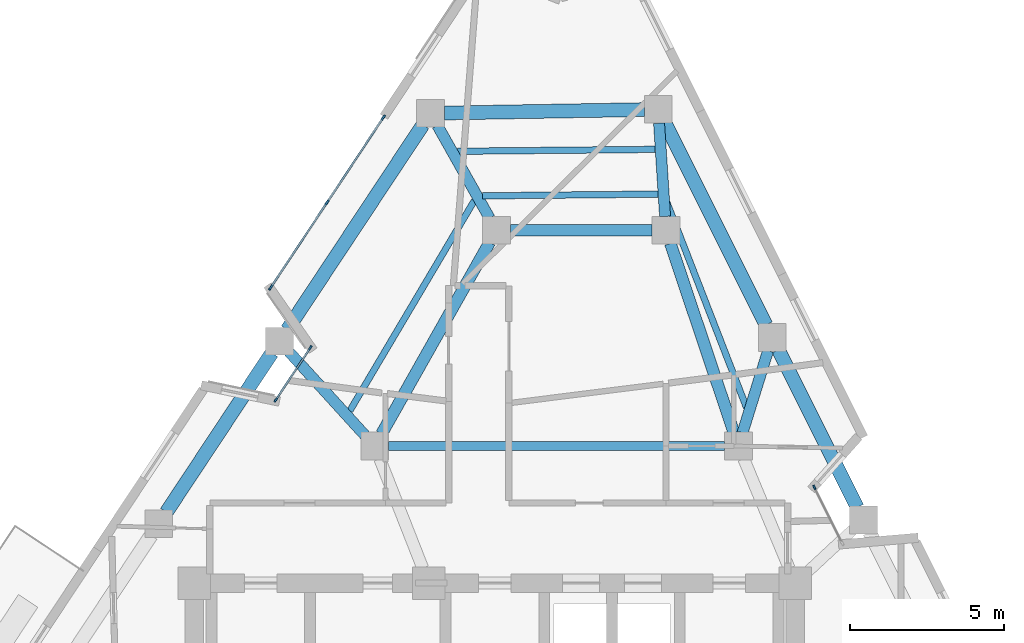
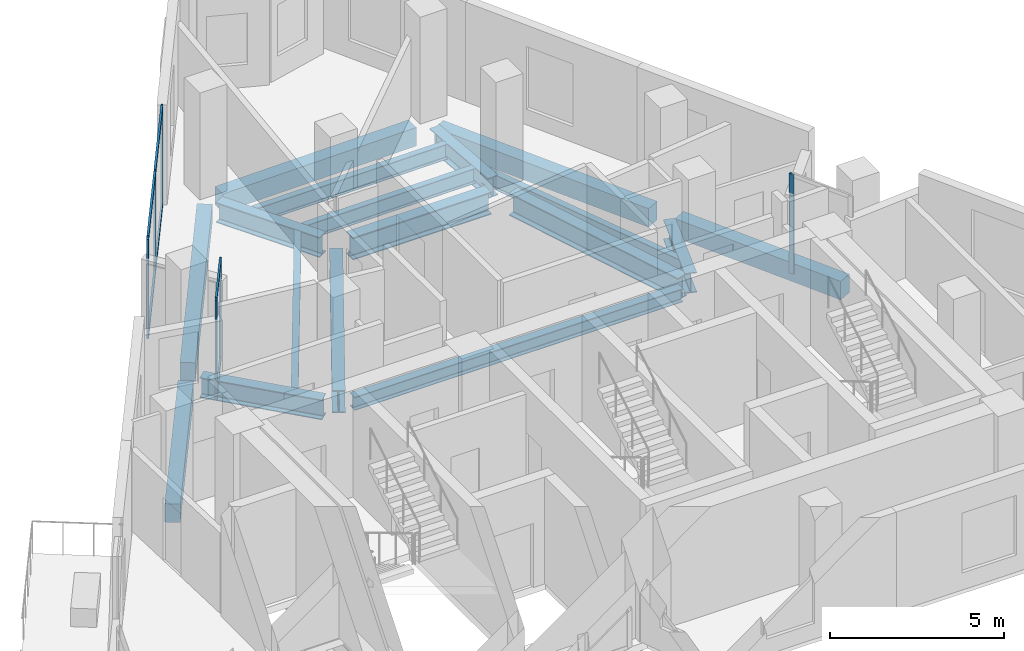
# One storey, part 3 of 10: 17 beams, 12 members, 3 elements without a shape of their own.
"""IFC4 building model written with IfcOpenShell, lengths in metres."""

from ifc_helpers import new_model, si_unit, direction, frame, origin, origin_2d, place, context, subcontext, project, spatial, rectangle, i_section, extrude, material, layer, layer_set, material_profile, profile_set, type_object, element, aggregate, save


model = new_model("IFC4")

# Units and contexts
model_context = context("Model", 3, precision=1e-05, world=origin(), true_north=direction((0.0, 1.0)))
body_context = subcontext(model_context, "Body", "Model", "MODEL_VIEW")
ifc_project = project(units=[si_unit("LENGTHUNIT", "METRE"), si_unit("AREAUNIT", "SQUARE_METRE"), si_unit("VOLUMEUNIT", "CUBIC_METRE"), si_unit("PLANEANGLEUNIT", "RADIAN"), si_unit("MASSUNIT", "GRAM", prefix="KILO")], contexts=[model_context])

# Site, building, storey
site_placement = place(None, origin())
site = spatial("IfcSite", under=ifc_project, at=site_placement, CompositionType="ELEMENT")
building_placement = place(site_placement, origin())
building = spatial("IfcBuilding", under=site, at=building_placement, Name="Almagre Mirador Tower", CompositionType="ELEMENT")
storey_placement = place(building_placement, frame((0.0, 0.0, 255.75)))
storey = spatial("IfcBuildingStorey", under=building, at=storey_placement, Name="L66", CompositionType="ELEMENT", Elevation=255.75)

# Beams
ifc_material_1 = material(Name="Steel ASTM A992 Grade 50", Category="steel")
ifc_material_profile_1 = material_profile(ifc_material_1, i_section(OverallWidth=0.281982421875, OverallDepth=0.467041015625, WebThickness=0.01220703125, FlangeThickness=0.01953125, FilletRadius=0.01611328125, at=origin_2d()), Name="W18X86")
ifc_profile_set_1 = profile_set([ifc_material_profile_1], Name="Steel ASTM A992 Grade 50")
beam_type_1 = type_object("IfcBeamType", Name="BM-BAL-W18X86", PredefinedType="JOIST", material=ifc_profile_set_1)
beam_1_placement = place(storey_placement, frame((33.85009765625, 19.199951171875, -0.4833984375), z_axis=(1.0, 0.0, 0.0), x_axis=(0.0, 1.0, 0.0)))
element("IfcBeam", 1, at=beam_1_placement, inside=storey, type_object=beam_type_1, Name="L66 secondary header beam BB-01", PredefinedType="JOIST", context=body_context, shape_type="SweptSolid", body=[
    extrude(i_section(OverallWidth=0.281982421875, OverallDepth=0.467041015625, WebThickness=0.01220703125, FlangeThickness=0.01953125, FilletRadius=0.01611328125, at=origin_2d()), origin(), (0.0, 0.0, 1.0), 10.89990234375),
])
ifc_material_2 = material(Name="Steel ASTM A992 Grade 50", Category="steel")
ifc_material_profile_2 = material_profile(ifc_material_2, i_section(OverallWidth=0.208984375, OverallDepth=0.532958984375, WebThickness=0.01025390625, FlangeThickness=0.015625, FilletRadius=0.01806640625, at=origin_2d()), Name="W21X62")
ifc_profile_set_2 = profile_set([ifc_material_profile_2], Name="Steel ASTM A992 Grade 50")
beam_type_2 = type_object("IfcBeamType", Name="BM-JST-W21X62", PredefinedType="JOIST", material=ifc_profile_set_2)
beam_2_placement = place(storey_placement, frame((45.468017578125, 20.435791015625, -0.5166015625), z_axis=(-0.361868854032, 0.932229012894, 0.0), x_axis=(-0.932229012894, -0.361868854032, 0.0)))
element("IfcBeam", 2, at=beam_2_placement, inside=storey, type_object=beam_type_2, Name="L66 secondary floor joist PC07-PC08.3", PredefinedType="JOIST", context=body_context, shape_type="SweptSolid", body=[
    extrude(i_section(OverallWidth=0.208984375, OverallDepth=0.532958984375, WebThickness=0.01025390625, FlangeThickness=0.015625, FilletRadius=0.01806640625, at=origin_2d()), origin(), (0.0, 0.0, 1.0), 7.264892578125),
])
beam_3_placement = place(storey_placement, frame((42.501708984375, 28.8251953125, -0.5166015625), z_axis=(-0.999953288653, -0.009665428698, 0.0), x_axis=(0.009665428698, -0.999953288653, 0.0)))
element("IfcBeam", 3, at=beam_3_placement, inside=storey, type_object=beam_type_2, Name="L66 secondary floor joist PC08-PC09.1", PredefinedType="JOIST", context=body_context, shape_type="SweptSolid", body=[
    extrude(i_section(OverallWidth=0.208984375, OverallDepth=0.532958984375, WebThickness=0.01025390625, FlangeThickness=0.015625, FilletRadius=0.01806640625, at=origin_2d()), origin(), (0.0, 0.0, 1.0), 6.415771484375),
])
beam_4_placement = place(storey_placement, frame((42.59521484375, 27.373291015625, -0.5166015625), z_axis=(-0.99995095938, -0.009903475888, 0.0), x_axis=(0.009903475888, -0.99995095938, 0.0)))
element("IfcBeam", 4, at=beam_4_placement, inside=storey, type_object=beam_type_2, Name="L66 secondary floor joist PC08-PC09.3", PredefinedType="JOIST", context=body_context, shape_type="SweptSolid", body=[
    extrude(i_section(OverallWidth=0.208984375, OverallDepth=0.532958984375, WebThickness=0.01025390625, FlangeThickness=0.015625, FilletRadius=0.01806640625, at=origin_2d()), origin(), (0.0, 0.0, 1.0), 5.694580078125),
])
beam_5_placement = place(storey_placement, frame((36.630615234375, 27.1611328125, -0.5166015625), z_axis=(-0.509571838607, -0.860428115126, 0.0), x_axis=(0.860428115126, -0.509571838607, 0.0)))
element("IfcBeam", 5, at=beam_5_placement, inside=storey, type_object=beam_type_2, Name="L66 secondary floor joist PC09-PC10.3", PredefinedType="JOIST", context=body_context, shape_type="SweptSolid", body=[
    extrude(i_section(OverallWidth=0.208984375, OverallDepth=0.532958984375, WebThickness=0.01025390625, FlangeThickness=0.015625, FilletRadius=0.01806640625, at=origin_2d()), origin(), (0.0, 0.0, 1.0), 7.925048828125),
])
ifc_material_3 = material(Name="Precast concrete C50/60", Category="concrete")
ifc_material_profile_3 = material_profile(ifc_material_3, rectangle(XDim=0.449951171875, YDim=0.64990234375, at=origin_2d()), Name="RC450X650")
ifc_profile_set_3 = profile_set([ifc_material_profile_3], Name="Precast concrete C50/60")
beam_type_3 = type_object("IfcBeamType", Name="BM-SPN-RC450X650", PredefinedType="SPANDREL", material=ifc_profile_set_3)
beam_6_placement = place(storey_placement, frame((49.055908203125, 17.20556640625, -0.574951171875), z_axis=(-0.447230671809, 0.894418652642, 0.0), x_axis=(-0.894418652642, -0.447230671809, 0.0)))
element("IfcBeam", 6, at=beam_6_placement, inside=storey, type_object=beam_type_3, Name="L66 perimeter spandrel beam PC06-PC07", PredefinedType="SPANDREL", context=body_context, shape_type="SweptSolid", body=[
    extrude(rectangle(XDim=0.449951171875, YDim=0.64990234375, at=origin_2d()), origin(), (0.0, 0.0, 1.0), 5.71875),
])
beam_7_placement = place(storey_placement, frame((46.095703125, 23.12548828125, -0.574951171875), z_axis=(-0.447226839749, 0.894420568753, 0.0), x_axis=(-0.894420568753, -0.447226839749, 0.0)))
element("IfcBeam", 7, at=beam_7_placement, inside=storey, type_object=beam_type_3, Name="L66 perimeter spandrel beam PC07-PC08", PredefinedType="SPANDREL", context=body_context, shape_type="SweptSolid", body=[
    extrude(rectangle(XDim=0.449951171875, YDim=0.64990234375, at=origin_2d()), origin(), (0.0, 0.0, 1.0), 7.37353515625),
])
beam_8_placement = place(storey_placement, frame((42.147216796875, 30.115234375, -0.574951171875), z_axis=(-0.999854670426, -0.017048109218, 0.0), x_axis=(0.017048109218, -0.999854670426, 0.0)))
element("IfcBeam", 8, at=beam_8_placement, inside=storey, type_object=beam_type_3, Name="L66 perimeter spandrel beam PC08-PC09", PredefinedType="SPANDREL", context=body_context, shape_type="SweptSolid", body=[
    extrude(rectangle(XDim=0.449951171875, YDim=0.64990234375, at=origin_2d()), origin(), (0.0, 0.0, 1.0), 6.4873046875),
])
beam_9_placement = place(storey_placement, frame((34.962646484375, 29.621826171875, -0.574951171875), z_axis=(-0.55211200974, -0.833769949507, 0.0), x_axis=(0.833769949507, -0.55211200974, 0.0)))
element("IfcBeam", 9, at=beam_9_placement, inside=storey, type_object=beam_type_3, Name="L66 perimeter spandrel beam PC09-PC10", PredefinedType="SPANDREL", context=body_context, shape_type="SweptSolid", body=[
    extrude(rectangle(XDim=0.449951171875, YDim=0.64990234375, at=origin_2d()), origin(), (0.0, 0.0, 1.0), 7.975341796875),
])
beam_10_placement = place(storey_placement, frame((30.0625, 22.2216796875, -0.574951171875), z_axis=(-0.552107701179, -0.833772802566, 0.0), x_axis=(0.833772802566, -0.552107701179, 0.0)))
element("IfcBeam", 10, at=beam_10_placement, inside=storey, type_object=beam_type_3, Name="L66 perimeter spandrel beam PC10-PC11", PredefinedType="SPANDREL", context=body_context, shape_type="SweptSolid", body=[
    extrude(rectangle(XDim=0.449951171875, YDim=0.64990234375, at=origin_2d()), origin(), (0.0, 0.0, 1.0), 6.199951171875),
])
ifc_material_4 = material(Name="Steel ASTM A992 Grade 50", Category="steel")
ifc_material_profile_4 = material_profile(ifc_material_4, i_section(OverallWidth=0.35791015625, OverallDepth=0.7060546875, WebThickness=0.018310546875, FlangeThickness=0.0302734375, FilletRadius=0.02197265625, at=origin_2d()), Name="W27X178")
ifc_profile_set_4 = profile_set([ifc_material_profile_4], Name="Steel ASTM A992 Grade 50")
beam_type_4 = type_object("IfcBeamType", Name="BM-STL-W27X178", PredefinedType="BEAM", material=ifc_profile_set_4)
beam_11_placement = place(storey_placement, frame((46.1630859375, 22.293212890625, -0.60302734375), z_axis=(-0.297288188683, -0.95478779468, 0.0), x_axis=(0.95478779468, -0.297288188683, 0.0)))
element("IfcBeam", 11, at=beam_11_placement, inside=storey, type_object=beam_type_4, Name="L66 radial floor girder PC07-MC5", PredefinedType="BEAM", context=body_context, shape_type="SweptSolid", body=[
    extrude(i_section(OverallWidth=0.35791015625, OverallDepth=0.7060546875, WebThickness=0.018310546875, FlangeThickness=0.0302734375, FilletRadius=0.02197265625, at=origin_2d()), origin(), (0.0, 0.0, 1.0), 2.789794921875),
])
beam_12_placement = place(storey_placement, frame((42.6259765625, 29.673828125, -0.60302734375), z_axis=(0.064358989598, -0.997926811173, 0.0), x_axis=(0.997926811173, 0.064358989598, 0.0)))
element("IfcBeam", 12, at=beam_12_placement, inside=storey, type_object=beam_type_4, Name="L66 radial floor girder PC08-MC6", PredefinedType="BEAM", context=body_context, shape_type="SweptSolid", body=[
    extrude(i_section(OverallWidth=0.35791015625, OverallDepth=0.7060546875, WebThickness=0.018310546875, FlangeThickness=0.0302734375, FilletRadius=0.02197265625, at=origin_2d()), origin(), (0.0, 0.0, 1.0), 3.031005859375),
])
beam_13_placement = place(storey_placement, frame((35.431884765625, 29.60498046875, -0.60302734375), z_axis=(0.490807503583, -0.871268038222, 0.0), x_axis=(0.871268038222, 0.490807503583, 0.0)))
element("IfcBeam", 13, at=beam_13_placement, inside=storey, type_object=beam_type_4, Name="L66 radial floor girder PC09-MC7", PredefinedType="BEAM", context=body_context, shape_type="SweptSolid", body=[
    extrude(i_section(OverallWidth=0.35791015625, OverallDepth=0.7060546875, WebThickness=0.018310546875, FlangeThickness=0.0302734375, FilletRadius=0.02197265625, at=origin_2d()), origin(), (0.0, 0.0, 1.0), 3.4580078125),
])
beam_14_placement = place(storey_placement, frame((30.61376953125, 22.26416015625, -0.60302734375), z_axis=(0.672781414124, -0.739841313262, 0.0), x_axis=(0.739841313262, 0.672781414124, 0.0)))
element("IfcBeam", 14, at=beam_14_placement, inside=storey, type_object=beam_type_4, Name="L66 radial floor girder PC10-MC8", PredefinedType="BEAM", context=body_context, shape_type="SweptSolid", body=[
    extrude(i_section(OverallWidth=0.35791015625, OverallDepth=0.7060546875, WebThickness=0.018310546875, FlangeThickness=0.0302734375, FilletRadius=0.02197265625, at=origin_2d()), origin(), (0.0, 0.0, 1.0), 3.691650390625),
])
ifc_material_5 = material(Name="Steel ASTM A992 Grade 50", Category="steel")
ifc_material_profile_5 = material_profile(ifc_material_5, i_section(OverallWidth=0.384033203125, OverallDepth=0.784912109375, WebThickness=0.019775390625, FlangeThickness=0.033447265625, FilletRadius=0.02392578125, at=origin_2d()), Name="W30X211")
ifc_profile_set_5 = profile_set([ifc_material_profile_5], Name="Steel ASTM A992 Grade 50")
beam_type_5 = type_object("IfcBeamType", Name="BM-STL-W30X211", PredefinedType="BEAM", material=ifc_profile_set_5)
beam_15_placement = place(storey_placement, frame((37.800048828125, 26.199951171875, -0.642578125), z_axis=(1.0, 0.0, 0.0), x_axis=(0.0, 1.0, 0.0)))
element("IfcBeam", 15, at=beam_15_placement, inside=storey, type_object=beam_type_5, Name="L66 core tie girder MC7-MC6", PredefinedType="BEAM", context=body_context, shape_type="SweptSolid", body=[
    extrude(i_section(OverallWidth=0.384033203125, OverallDepth=0.784912109375, WebThickness=0.019775390625, FlangeThickness=0.033447265625, FilletRadius=0.02392578125, at=origin_2d()), origin(), (0.0, 0.0, 1.0), 4.599853515625),
])
beam_16_placement = place(storey_placement, frame((42.9931640625, 25.7734375, -0.642578125), z_axis=(0.318282890726, -0.947995781357, 0.0), x_axis=(0.947995781357, 0.318282890726, 0.0)))
element("IfcBeam", 16, at=beam_16_placement, inside=storey, type_object=beam_type_5, Name="L66 core tie girder MC6-MC5", PredefinedType="BEAM", context=body_context, shape_type="SweptSolid", body=[
    extrude(i_section(OverallWidth=0.384033203125, OverallDepth=0.784912109375, WebThickness=0.019775390625, FlangeThickness=0.033447265625, FilletRadius=0.02392578125, at=origin_2d()), origin(), (0.0, 0.0, 1.0), 6.48388671875),
])
beam_17_placement = place(storey_placement, frame((37.12890625, 25.80810546875, -0.642578125), z_axis=(-0.491446261843, -0.870907900825, 0.0), x_axis=(0.870907900825, -0.491446261843, 0.0)))
element("IfcBeam", 17, at=beam_17_placement, inside=storey, type_object=beam_type_5, Name="L66 core tie girder MC7-MC8", PredefinedType="BEAM", context=body_context, shape_type="SweptSolid", body=[
    extrude(i_section(OverallWidth=0.384033203125, OverallDepth=0.784912109375, WebThickness=0.019775390625, FlangeThickness=0.033447265625, FilletRadius=0.02392578125, at=origin_2d()), origin(), (0.0, 0.0, 1.0), 7.1376953125),
])

# Curtain wall, members
ifc_material_6 = material(Name="Black anodized aluminium", Category="aluminium")
ifc_layer_1 = layer(ifc_material_6, 0.169921875)
ifc_layer_set_1 = layer_set([ifc_layer_1], Name="Black anodized aluminium")
curtain_wall_type_1 = type_object("IfcCurtainWallType", Name="CW-CRS-SYS", PredefinedType="NOTDEFINED", material=ifc_layer_set_1)
curtain_wall_1_placement = place(storey_placement, origin())
curtain_wall_1 = element("IfcCurtainWall", 18, at=curtain_wall_1_placement, inside=storey, type_object=curtain_wall_type_1, Name="L66 vertical crease curtain wall 01", PredefinedType="NOTDEFINED")
ifc_material_7 = material(Name="Black anodized aluminium", Category="aluminium")
ifc_material_profile_6 = material_profile(ifc_material_7, rectangle(XDim=0.06005859375, YDim=0.14990234375, at=origin_2d()), Name="CWM60X150")
ifc_profile_set_6 = profile_set([ifc_material_profile_6], Name="Black anodized aluminium")
member_type_1 = type_object("IfcMemberType", Name="MBR-CWM60X150", PredefinedType="MULLION", material=ifc_profile_set_6)
member_1_placement = place(storey_placement, frame((30.1884765625, 20.693115234375, 0.0), z_axis=(0.0, 0.0, 1.0), x_axis=(-0.833812393793, 0.552047907303, 0.0)))
member_1 = element("IfcMember", 19, at=member_1_placement, type_object=member_type_1, Name="CW-4 mullion 1", PredefinedType="MULLION", context=body_context, shape_type="SweptSolid", body=[
    extrude(rectangle(XDim=0.06005859375, YDim=0.14990234375, at=origin_2d()), origin(), (0.0, 0.0, 1.0), 3.5),
])
member_2_placement = place(storey_placement, frame((31.309326171875, 22.385986328125, 0.0), z_axis=(0.0, 0.0, 1.0), x_axis=(-0.833812393793, 0.552047907303, 0.0)))
member_2 = element("IfcMember", 20, at=member_2_placement, type_object=member_type_1, Name="CW-4 mullion 2", PredefinedType="MULLION", context=body_context, shape_type="SweptSolid", body=[
    extrude(rectangle(XDim=0.06005859375, YDim=0.14990234375, at=origin_2d()), origin(), (0.0, 0.0, 1.0), 3.5),
])

# Curtain wall, member
curtain_wall_2_placement = place(storey_placement, origin())
curtain_wall_2 = element("IfcCurtainWall", 21, at=curtain_wall_2_placement, inside=storey, type_object=curtain_wall_type_1, Name="L66 vertical crease curtain wall 03", PredefinedType="NOTDEFINED")
member_3_placement = place(storey_placement, frame((47.66650390625, 17.859130859375, 0.0), z_axis=(0.0, 0.0, 1.0), x_axis=(0.894427191001, 0.447213595499, 0.0)))
member_3 = element("IfcMember", 22, at=member_3_placement, type_object=member_type_1, Name="CW-4 mullion 1", PredefinedType="MULLION", context=body_context, shape_type="SweptSolid", body=[
    extrude(rectangle(XDim=0.06005859375, YDim=0.14990234375, at=origin_2d()), origin(), (0.0, 0.0, 1.0), 3.5),
])
aggregate(curtain_wall_2, [member_3])

# Curtain wall, members
ifc_material_8 = material(Name="Black anodized aluminium", Category="aluminium")
ifc_layer_2 = layer(ifc_material_8, 0.199951171875)
ifc_layer_set_2 = layer_set([ifc_layer_2], Name="Black anodized aluminium")
curtain_wall_type_2 = type_object("IfcCurtainWallType", Name="CW-RES-H-SYS", PredefinedType="NOTDEFINED", material=ifc_layer_set_2)
curtain_wall_3_placement = place(storey_placement, origin())
curtain_wall_3 = element("IfcCurtainWall", 23, at=curtain_wall_3_placement, inside=storey, type_object=curtain_wall_type_2, Name="L66 curtain wall run 02", PredefinedType="NOTDEFINED")
ifc_material_9 = material(Name="Black anodized aluminium", Category="aluminium")
ifc_material_profile_7 = material_profile(ifc_material_9, rectangle(XDim=0.06494140625, YDim=0.179931640625, at=origin_2d()), Name="CWM65X180")
ifc_profile_set_7 = profile_set([ifc_material_profile_7], Name="Black anodized aluminium")
member_type_2 = type_object("IfcMemberType", Name="MBR-CWM65X180", PredefinedType="MULLION", material=ifc_profile_set_7)
member_4_placement = place(storey_placement, frame((30.02392578125, 24.338134765625, 0.0), z_axis=(0.0, 0.0, 1.0), x_axis=(-0.833771291205, 0.552109983574, 0.0)))
member_4 = element("IfcMember", 24, at=member_4_placement, type_object=member_type_2, Name="CW-3 mullion 1", PredefinedType="MULLION", context=body_context, shape_type="SweptSolid", body=[
    extrude(rectangle(XDim=0.06494140625, YDim=0.179931640625, at=origin_2d()), origin(), (0.0, 0.0, 1.0), 3.5),
])
member_5_placement = place(storey_placement, frame((31.8525390625, 27.099609375, 0.0), z_axis=(0.0, 0.0, 1.0), x_axis=(-0.833771291205, 0.552109983574, 0.0)))
member_5 = element("IfcMember", 25, at=member_5_placement, type_object=member_type_2, Name="CW-3 mullion 2", PredefinedType="MULLION", context=body_context, shape_type="SweptSolid", body=[
    extrude(rectangle(XDim=0.06494140625, YDim=0.179931640625, at=origin_2d()), origin(), (0.0, 0.0, 1.0), 3.5),
])
member_6_placement = place(storey_placement, frame((33.68115234375, 29.86083984375, 0.0), z_axis=(0.0, 0.0, 1.0), x_axis=(-0.833771291205, 0.552109983574, 0.0)))
member_6 = element("IfcMember", 26, at=member_6_placement, type_object=member_type_2, Name="CW-3 mullion 3", PredefinedType="MULLION", context=body_context, shape_type="SweptSolid", body=[
    extrude(rectangle(XDim=0.06494140625, YDim=0.179931640625, at=origin_2d()), origin(), (0.0, 0.0, 1.0), 3.5),
])

# Member
ifc_material_10 = material(Name="Black anodized aluminium", Category="aluminium")
ifc_material_profile_8 = material_profile(ifc_material_10, rectangle(XDim=0.06005859375, YDim=0.1298828125, at=origin_2d()), Name="CWT60X130")
ifc_profile_set_8 = profile_set([ifc_material_profile_8], Name="Black anodized aluminium")
member_type_3 = type_object("IfcMemberType", Name="MBR-CWT60X130", PredefinedType="USERDEFINED", material=ifc_profile_set_8)
member_7_placement = place(storey_placement, frame((30.205078125, 20.718017578125, 0.030029296875), z_axis=(0.55206708138, 0.833799698763, 0.0), x_axis=(-0.833799698763, 0.55206708138, 0.0)))
member_7 = element("IfcMember", 27, at=member_7_placement, type_object=member_type_3, Name="CW-4 transom 1.1", ObjectType="TRANSOM", PredefinedType="USERDEFINED", context=body_context, shape_type="SweptSolid", body=[
    extrude(rectangle(XDim=0.06005859375, YDim=0.1298828125, at=origin_2d()), origin(), (0.0, 0.0, 1.0), 1.970458984375),
])

member_8_placement = place(storey_placement, frame((30.205078125, 20.718017578125, 3.469970703125), z_axis=(0.55206708138, 0.833799698763, 0.0), x_axis=(-0.833799698763, 0.55206708138, 0.0)))
member_8 = element("IfcMember", 28, at=member_8_placement, type_object=member_type_3, Name="CW-4 transom 1.2", ObjectType="TRANSOM", PredefinedType="USERDEFINED", context=body_context, shape_type="SweptSolid", body=[
    extrude(rectangle(XDim=0.06005859375, YDim=0.1298828125, at=origin_2d()), origin(), (0.0, 0.0, 1.0), 1.970458984375),
])

aggregate(curtain_wall_1, [member_1, member_2, member_7, member_8])

ifc_material_11 = material(Name="Black anodized aluminium", Category="aluminium")
ifc_material_profile_9 = material_profile(ifc_material_11, rectangle(XDim=0.06494140625, YDim=0.14990234375, at=origin_2d()), Name="CWT65X150")
ifc_profile_set_9 = profile_set([ifc_material_profile_9], Name="Black anodized aluminium")
member_type_4 = type_object("IfcMemberType", Name="MBR-CWT65X150", PredefinedType="USERDEFINED", material=ifc_profile_set_9)
member_9_placement = place(storey_placement, frame((30.0419921875, 24.365234375, 0.032470703125), z_axis=(0.552059904206, 0.833804450796, 0.0), x_axis=(-0.833804450796, 0.552059904206, 0.0)))
member_9 = element("IfcMember", 29, at=member_9_placement, type_object=member_type_4, Name="CW-3 transom 1.1", ObjectType="TRANSOM", PredefinedType="USERDEFINED", context=body_context, shape_type="SweptSolid", body=[
    extrude(rectangle(XDim=0.06494140625, YDim=0.14990234375, at=origin_2d()), origin(), (0.0, 0.0, 1.0), 3.246826171875),
])

member_10_placement = place(storey_placement, frame((30.0419921875, 24.365234375, 3.467529296875), z_axis=(0.552059904206, 0.833804450796, 0.0), x_axis=(-0.833804450796, 0.552059904206, 0.0)))
member_10 = element("IfcMember", 30, at=member_10_placement, type_object=member_type_4, Name="CW-3 transom 1.2", ObjectType="TRANSOM", PredefinedType="USERDEFINED", context=body_context, shape_type="SweptSolid", body=[
    extrude(rectangle(XDim=0.06494140625, YDim=0.14990234375, at=origin_2d()), origin(), (0.0, 0.0, 1.0), 3.246826171875),
])

member_11_placement = place(storey_placement, frame((31.870361328125, 27.126708984375, 0.032470703125), z_axis=(0.552146790441, 0.833746917119, 0.0), x_axis=(-0.833746917119, 0.552146790441, 0.0)))
member_11 = element("IfcMember", 31, at=member_11_placement, type_object=member_type_4, Name="CW-3 transom 2.1", ObjectType="TRANSOM", PredefinedType="USERDEFINED", context=body_context, shape_type="SweptSolid", body=[
    extrude(rectangle(XDim=0.06494140625, YDim=0.14990234375, at=origin_2d()), origin(), (0.0, 0.0, 1.0), 3.246826171875),
])

member_12_placement = place(storey_placement, frame((31.870361328125, 27.126708984375, 3.467529296875), z_axis=(0.552146790441, 0.833746917119, 0.0), x_axis=(-0.833746917119, 0.552146790441, 0.0)))
member_12 = element("IfcMember", 32, at=member_12_placement, type_object=member_type_4, Name="CW-3 transom 2.2", ObjectType="TRANSOM", PredefinedType="USERDEFINED", context=body_context, shape_type="SweptSolid", body=[
    extrude(rectangle(XDim=0.06494140625, YDim=0.14990234375, at=origin_2d()), origin(), (0.0, 0.0, 1.0), 3.246826171875),
])

aggregate(curtain_wall_3, [member_4, member_5, member_6, member_9, member_10, member_11, member_12])

save(model, "model.ifc")
